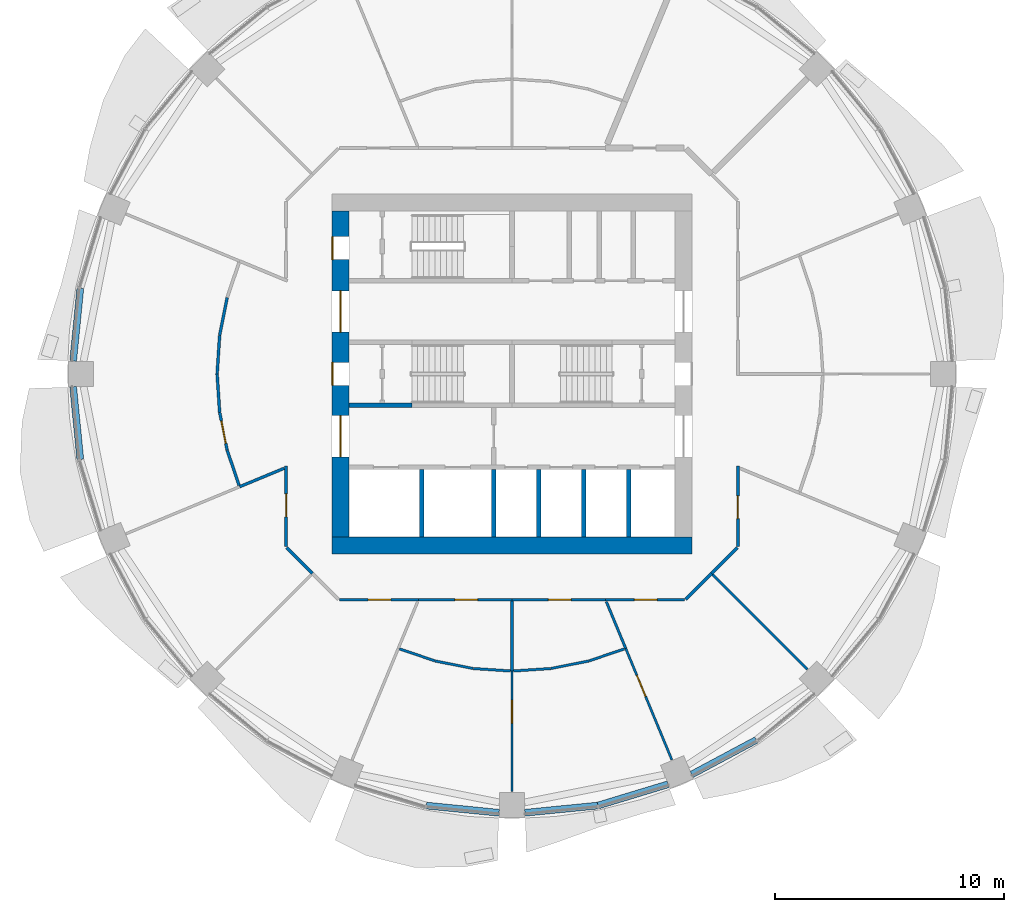
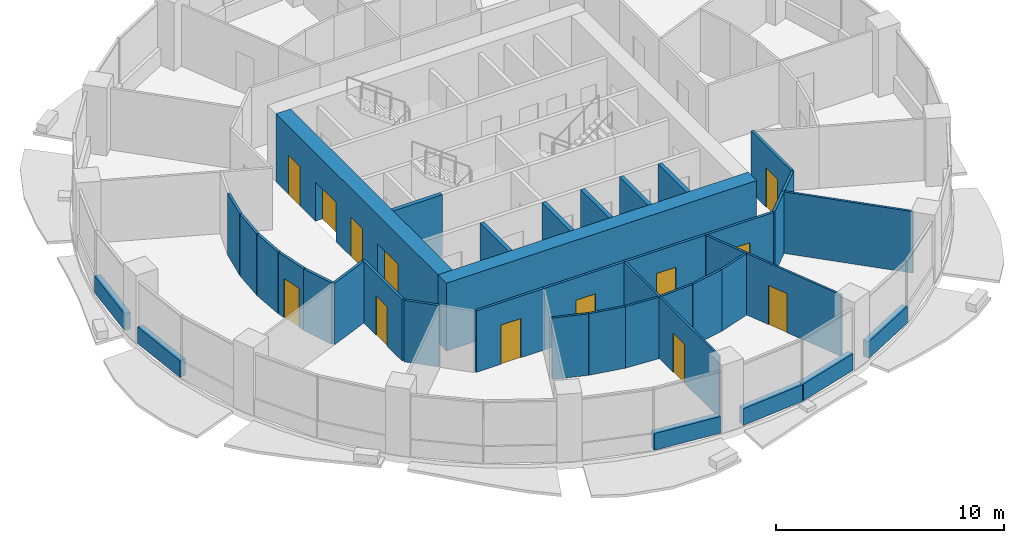
# One storey, part 8 of 15: 40 walls, 13 doors, 13 openings.
"""IFC4 building model written with IfcOpenShell, lengths in metres."""

from ifc_helpers import new_model, si_unit, direction, frame, frame_2d, origin, place, context, subcontext, project, spatial, rectangle, extrude, material, layer, layer_set, type_object, element, fill, save


model = new_model("IFC4")

# Units and contexts
model_context = context("Model", 3, precision=1e-05, world=origin(), true_north=direction((0.0, 1.0)))
body_context = subcontext(model_context, "Body", "Model", "MODEL_VIEW")
ifc_project = project(units=[si_unit("LENGTHUNIT", "METRE"), si_unit("AREAUNIT", "SQUARE_METRE"), si_unit("VOLUMEUNIT", "CUBIC_METRE"), si_unit("PLANEANGLEUNIT", "RADIAN"), si_unit("MASSUNIT", "GRAM", prefix="KILO")], contexts=[model_context])

# Site, building, storey
site_placement = place(None, origin())
site = spatial("IfcSite", under=ifc_project, at=site_placement, CompositionType="ELEMENT")
building_placement = place(site_placement, origin())
building = spatial("IfcBuilding", under=site, at=building_placement, Name="Polderwave Tower", CompositionType="ELEMENT")
storey_placement = place(building_placement, frame((0.0, 0.0, 72.75)))
storey = spatial("IfcBuildingStorey", under=building, at=storey_placement, Name="L18", CompositionType="ELEMENT", Elevation=72.75)

# Wall
ifc_material_1 = material(Name="Concrete C70/85", Category="concrete")
ifc_layer_1 = layer(ifc_material_1, 0.75)
ifc_layer_set_1 = layer_set([ifc_layer_1], Name="CORE WALL 750 C70/85")
wall_type_1 = type_object("IfcWallType", Name="CORE WALL 750 C70/85", PredefinedType="SHEAR", material=ifc_layer_set_1)
wall_1_placement = place(storey_placement, frame((-7.8740234375, -7.4990234375, 0.0), z_axis=(0.0, 0.0, 1.0), x_axis=(1.0, 0.0, 0.0)))
element("IfcWall", 1, at=wall_1_placement, inside=storey, type_object=wall_type_1, Name="ST-CORE-L18-S", PredefinedType="SHEAR", context=body_context, shape_type="SweptSolid", body=[
    extrude(rectangle(XDim=15.748046875, YDim=0.75, at=frame_2d((7.8740234375, 0.0))), origin(), (0.0, 0.0, 1.0), 3.64990234375),
])

# Wall, openings, doors
wall_2_placement = place(storey_placement, frame((-7.4990234375, -7.1240234375, 0.0), z_axis=(0.0, 0.0, 1.0), x_axis=(0.0, 1.0, 0.0)))
wall_2 = element("IfcWall", 2, at=wall_2_placement, inside=storey, type_object=wall_type_1, Name="ST-CORE-L18-W", PredefinedType="SHEAR", context=body_context, shape_type="SweptSolid", body=[
    extrude(rectangle(XDim=14.248046875, YDim=0.75, at=frame_2d((7.1240234375, 0.0))), origin(), (0.0, 0.0, 1.0), 3.64990234375),
])
opening_1_placement = place(wall_2_placement, frame((6.6240234375, 0.0, 0.0)))
opening_1 = element("IfcOpeningElement", 3, at=opening_1_placement, cuts=wall_2, Name="Opening L18-D18", PredefinedType="OPENING", context=body_context, shape_type="SweptSolid", body=[
    extrude(rectangle(XDim=1.0, YDim=2.10009765625, at=frame_2d((0.5, 1.050048828125))), frame((0.0, 0.385009765625, 0.0), z_axis=(0.0, -1.0, 0.0), x_axis=(1.0, 0.0, 0.0)), (0.0, 0.0, 1.0), 0.77001953125),
])
opening_2_placement = place(wall_2_placement, frame((3.49951171875, 0.0, 0.0)))
opening_2 = element("IfcOpeningElement", 4, at=opening_2_placement, cuts=wall_2, Name="Opening L18-D19", PredefinedType="OPENING", context=body_context, shape_type="SweptSolid", body=[
    extrude(rectangle(XDim=1.800048828125, YDim=2.10009765625, at=frame_2d((0.89990234375, 1.050048828125))), frame((0.0, 0.385009765625, 0.0), z_axis=(0.0, -1.0, 0.0), x_axis=(1.0, 0.0, 0.0)), (0.0, 0.0, 1.0), 0.77001953125),
])
opening_3_placement = place(wall_2_placement, frame((8.948486328125, 0.0, 0.0)))
opening_3 = element("IfcOpeningElement", 5, at=opening_3_placement, cuts=wall_2, Name="Opening L18-D20", PredefinedType="OPENING", context=body_context, shape_type="SweptSolid", body=[
    extrude(rectangle(XDim=1.800048828125, YDim=2.10009765625, at=frame_2d((0.89990234375, 1.050048828125))), frame((0.0, 0.385009765625, 0.0), z_axis=(0.0, -1.0, 0.0), x_axis=(1.0, 0.0, 0.0)), (0.0, 0.0, 1.0), 0.77001953125),
])
opening_4_placement = place(wall_2_placement, frame((12.1240234375, 0.0, 0.0)))
opening_4 = element("IfcOpeningElement", 6, at=opening_4_placement, cuts=wall_2, Name="Opening L18-D21", PredefinedType="OPENING", context=body_context, shape_type="SweptSolid", body=[
    extrude(rectangle(XDim=1.0, YDim=2.10009765625, at=frame_2d((0.5, 1.050048828125))), frame((0.0, 0.385009765625, 0.0), z_axis=(0.0, -1.0, 0.0), x_axis=(1.0, 0.0, 0.0)), (0.0, 0.0, 1.0), 0.77001953125),
])
ifc_material_2 = material(Name="Steel fire door", Category="steel")
door_type_1 = type_object("IfcDoorType", Name="Lobby entry door pair 1800", OperationType="DOUBLE_DOOR_SINGLE_SWING", PredefinedType="DOOR", material=ifc_material_2)
door_1_placement = place(opening_2_placement, origin())
door_1 = element("IfcDoor", 7, at=door_1_placement, inside=storey, type_object=door_type_1, Name="Fire-fighting lobby entry door", OperationType="DOUBLE_DOOR_SINGLE_SWING", OverallHeight=2.10009765625, OverallWidth=1.800048828125, PredefinedType="DOOR", context=body_context, shape_type="SweptSolid", body=[
    extrude(rectangle(XDim=1.800048828125, YDim=2.10009765625, at=frame_2d((0.89990234375, 1.050048828125))), frame((0.0, 0.02490234375, 0.0), z_axis=(0.0, -1.0, 0.0), x_axis=(1.0, 0.0, 0.0)), (0.0, 0.0, 1.0), 0.050048828125),
])
fill(opening_2, door_1)
door_2_placement = place(opening_3_placement, origin())
door_2 = element("IfcDoor", 8, at=door_2_placement, inside=storey, type_object=door_type_1, Name="North lobby entry door", OperationType="DOUBLE_DOOR_SINGLE_SWING", OverallHeight=2.10009765625, OverallWidth=1.800048828125, PredefinedType="DOOR", context=body_context, shape_type="SweptSolid", body=[
    extrude(rectangle(XDim=1.800048828125, YDim=2.10009765625, at=frame_2d((0.89990234375, 1.050048828125))), frame((0.0, 0.02490234375, 0.0), z_axis=(0.0, -1.0, 0.0), x_axis=(1.0, 0.0, 0.0)), (0.0, 0.0, 1.0), 0.050048828125),
])
fill(opening_3, door_2)
door_type_2 = type_object("IfcDoorType", Name="Stair door 1000", OperationType="NOTDEFINED", PredefinedType="DOOR", material=ifc_material_2)
door_3_placement = place(opening_1_placement, origin())
door_3 = element("IfcDoor", 9, at=door_3_placement, inside=storey, type_object=door_type_2, Name="Stair A entry door", OperationType="SINGLE_SWING_RIGHT", OverallHeight=2.10009765625, OverallWidth=1.0, PredefinedType="DOOR", context=body_context, shape_type="SweptSolid", body=[
    extrude(rectangle(XDim=1.0, YDim=2.10009765625, at=frame_2d((0.5, 1.050048828125))), frame((0.0, 0.375, 0.0), z_axis=(0.0, -1.0, 0.0), x_axis=(1.0, 0.0, 0.0)), (0.0, 0.0, 1.0), 0.050048828125),
])
fill(opening_1, door_3)
door_4_placement = place(opening_4_placement, origin())
door_4 = element("IfcDoor", 10, at=door_4_placement, inside=storey, type_object=door_type_2, Name="Stair C entry door", OperationType="SINGLE_SWING_RIGHT", OverallHeight=2.10009765625, OverallWidth=1.0, PredefinedType="DOOR", context=body_context, shape_type="SweptSolid", body=[
    extrude(rectangle(XDim=1.0, YDim=2.10009765625, at=frame_2d((0.5, 1.050048828125))), frame((0.0, 0.375, 0.0), z_axis=(0.0, -1.0, 0.0), x_axis=(1.0, 0.0, 0.0)), (0.0, 0.0, 1.0), 0.050048828125),
])
fill(opening_4, door_4)

# Walls
ifc_material_3 = material(Name="Concrete C50/60 (board-marked)", Category="concrete")
ifc_layer_2 = layer(ifc_material_3, 0.300048828125)
ifc_layer_set_2 = layer_set([ifc_layer_2], Name="Concrete spandrel upstand C50/60")
wall_type_2 = type_object("IfcWallType", Name="Concrete spandrel upstand C50/60", PredefinedType="SOLIDWALL", material=ifc_layer_set_2)
for number, where, z_axis, x_axis, name in (
    (11, (-18.87158203125, 3.738037109375, 0.0), (0.0, 0.0, 1.0), (-0.098131861065, -0.995173420989, 0.0), "Spandrel L18 8b"),
    (12, (-19.1845703125, -0.56396484375, 0.0), (0.0, 0.0, 1.0), (0.098131861065, -0.995173420989, 0.0), "Spandrel L18 9a"),
    (13, (-3.738037109375, -18.87158203125, 0.0), (0.0, 0.0, 1.0), (0.995173420989, -0.098131861065, 0.0), "Spandrel L18 12b"),
    (14, (0.56396484375, -19.1845703125, 0.0), (0.0, 0.0, 1.0), (0.995173420989, 0.098131861065, 0.0), "Spandrel L18 13a"),
):
    element("IfcWall", number, at=place(storey_placement, frame(where, z_axis=z_axis, x_axis=x_axis)), inside=storey, type_object=wall_type_2, Name=name, PredefinedType="SOLIDWALL", context=body_context, shape_type="SweptSolid", body=[
        extrude(rectangle(XDim=3.189453125, YDim=0.300048828125, at=frame_2d((1.5947265625, 0.0))), origin(), (0.0, 0.0, 1.0), 0.89990234375),
    ])
wall_3_placement = place(storey_placement, frame((3.767333984375, -18.865478515625, 0.0), z_axis=(0.0, 0.0, 1.0), x_axis=(0.956954228099, 0.290238876314, 0.0)))
element("IfcWall", 15, at=wall_3_placement, inside=storey, type_object=wall_type_2, Name="Spandrel L18 13b", PredefinedType="SOLIDWALL", context=body_context, shape_type="SweptSolid", body=[
    extrude(rectangle(XDim=3.190673828125, YDim=0.300048828125, at=frame_2d((1.59521484375, 0.0))), origin(), (0.0, 0.0, 1.0), 0.89990234375),
])
wall_4_placement = place(storey_placement, frame((7.8623046875, -17.5078125, 0.0), z_axis=(0.0, 0.0, 1.0), x_axis=(0.8819437364, 0.471354692163, 0.0)))
element("IfcWall", 16, at=wall_4_placement, inside=storey, type_object=wall_type_2, Name="Spandrel L18 14a", PredefinedType="SOLIDWALL", context=body_context, shape_type="SweptSolid", body=[
    extrude(rectangle(XDim=3.190185546875, YDim=0.300048828125, at=frame_2d((1.59521484375, 0.0))), origin(), (0.0, 0.0, 1.0), 0.89990234375),
])
ifc_material_4 = material(Name="Concrete C50/60", Category="concrete")
ifc_layer_3 = layer(ifc_material_4, 0.199951171875)
ifc_layer_set_3 = layer_set([ifc_layer_3], Name="Core web wall 200")
wall_type_3 = type_object("IfcWallType", Name="Core web wall 200", PredefinedType="SHEAR", material=ifc_layer_set_3)
wall_5_placement = place(storey_placement, frame((-7.1240234375, -1.375, 0.0), z_axis=(0.0, 0.0, 1.0), x_axis=(1.0, 0.0, 0.0)))
element("IfcWall", 17, at=wall_5_placement, inside=storey, type_object=wall_type_3, Name="L18 south stair wall 1", PredefinedType="SHEAR", context=body_context, shape_type="SweptSolid", body=[
    extrude(rectangle(XDim=2.75, YDim=0.199951171875, at=frame_2d((1.375, 0.0))), origin(), (0.0, 0.0, 1.0), 3.300048828125),
])
ifc_material_5 = material(Name="Fire-resisting board on steel studs", Category="steel")
ifc_layer_4 = layer(ifc_material_5, 0.125)
ifc_layer_set_4 = layer_set([ifc_layer_4], Name="Corridor wall 125 mm EI 60")
wall_type_4 = type_object("IfcWallType", Name="Corridor wall 125 mm EI 60", PredefinedType="PARTITIONING", material=ifc_layer_set_4)
wall_6_placement = place(storey_placement, frame((9.855712890625, -7.58935546875, 0.0), z_axis=(0.0, 0.0, 1.0), x_axis=(-0.70718294931, -0.707030604857, 0.0)))
element("IfcWall", 18, at=wall_6_placement, inside=storey, type_object=wall_type_4, Name="IN-L18-W004", PredefinedType="PARTITIONING", context=body_context, shape_type="SweptSolid", body=[
    extrude(rectangle(XDim=1.6025390625, YDim=0.125, at=frame_2d((0.80126953125, 0.0))), origin(), (0.0, 0.0, 1.0), 3.300048828125),
])

# Wall, opening, door
wall_7_placement = place(storey_placement, frame((9.8740234375, -4.02734375, 0.0), z_axis=(0.0, 0.0, 1.0), x_axis=(0.0, -1.0, 0.0)))
wall_7 = element("IfcWall", 19, at=wall_7_placement, inside=storey, type_object=wall_type_4, Name="IN-L18-W005", PredefinedType="PARTITIONING", context=body_context, shape_type="SweptSolid", body=[
    extrude(rectangle(XDim=3.517822265625, YDim=0.125, at=frame_2d((1.7587890625, 0.0))), origin(), (0.0, 0.0, 1.0), 3.300048828125),
])
opening_5_placement = place(wall_7_placement, frame((1.300048828125, 0.0, 0.0)))
opening_5 = element("IfcOpeningElement", 20, at=opening_5_placement, cuts=wall_7, Name="Opening L18-D52", PredefinedType="OPENING", context=body_context, shape_type="SweptSolid", body=[
    extrude(rectangle(XDim=1.0, YDim=2.10009765625, at=frame_2d((0.5, 1.050048828125))), frame((0.0, 0.072509765625, 0.0), z_axis=(0.0, -1.0, 0.0), x_axis=(1.0, 0.0, 0.0)), (0.0, 0.0, 1.0), 0.14501953125),
])
ifc_material_6 = material(Name="Timber fire door leaf", Category="wood")
door_type_3 = type_object("IfcDoorType", Name="Fire door FD30S 1000 x 2100", OperationType="NOTDEFINED", PredefinedType="DOOR", material=ifc_material_6)
door_5_placement = place(opening_5_placement, origin())
door_5 = element("IfcDoor", 21, at=door_5_placement, inside=storey, type_object=door_type_3, Name="Door L18-D52", OperationType="SINGLE_SWING_RIGHT", OverallHeight=2.10009765625, OverallWidth=1.0, PredefinedType="DOOR", context=body_context, shape_type="SweptSolid", body=[
    extrude(rectangle(XDim=1.0, YDim=2.10009765625, at=frame_2d((0.5, 1.050048828125))), frame((0.0, 0.02490234375, 0.0), z_axis=(0.0, -1.0, 0.0), x_axis=(1.0, 0.0, 0.0)), (0.0, 0.0, 1.0), 0.050048828125),
])
fill(opening_5, door_5)

wall_8_placement = place(storey_placement, frame((-9.8740234375, -7.545166015625, 0.0), z_axis=(0.0, 0.0, 1.0), x_axis=(0.0, 1.0, 0.0)))
wall_8 = element("IfcWall", 22, at=wall_8_placement, inside=storey, type_object=wall_type_4, Name="IN-L18-W014", PredefinedType="PARTITIONING", context=body_context, shape_type="SweptSolid", body=[
    extrude(rectangle(XDim=3.517822265625, YDim=0.125, at=frame_2d((1.7587890625, 0.0))), origin(), (0.0, 0.0, 1.0), 3.300048828125),
])
opening_6_placement = place(wall_8_placement, frame((1.300048828125, 0.0, 0.0)))
opening_6 = element("IfcOpeningElement", 23, at=opening_6_placement, cuts=wall_8, Name="Opening L18-D58", PredefinedType="OPENING", context=body_context, shape_type="SweptSolid", body=[
    extrude(rectangle(XDim=1.0, YDim=2.10009765625, at=frame_2d((0.5, 1.050048828125))), frame((0.0, 0.072509765625, 0.0), z_axis=(0.0, -1.0, 0.0), x_axis=(1.0, 0.0, 0.0)), (0.0, 0.0, 1.0), 0.14501953125),
])
door_6_placement = place(opening_6_placement, origin())
door_6 = element("IfcDoor", 24, at=door_6_placement, inside=storey, type_object=door_type_3, Name="Door L18-D58", OperationType="SINGLE_SWING_RIGHT", OverallHeight=2.10009765625, OverallWidth=1.0, PredefinedType="DOOR", context=body_context, shape_type="SweptSolid", body=[
    extrude(rectangle(XDim=1.0, YDim=2.10009765625, at=frame_2d((0.5, 1.050048828125))), frame((0.0, 0.02490234375, 0.0), z_axis=(0.0, -1.0, 0.0), x_axis=(1.0, 0.0, 0.0)), (0.0, 0.0, 1.0), 0.050048828125),
])
fill(opening_6, door_6)

# Wall
wall_9_placement = place(storey_placement, frame((-8.722412109375, -8.722412109375, 0.0), z_axis=(0.0, 0.0, 1.0), x_axis=(-0.70718294931, 0.707030604857, 0.0)))
element("IfcWall", 25, at=wall_9_placement, inside=storey, type_object=wall_type_4, Name="IN-L18-W015", PredefinedType="PARTITIONING", context=body_context, shape_type="SweptSolid", body=[
    extrude(rectangle(XDim=1.6025390625, YDim=0.125, at=frame_2d((0.80126953125, 0.0))), origin(), (0.0, 0.0, 1.0), 3.300048828125),
])

# Wall, opening, door
wall_10_placement = place(storey_placement, frame((-4.08984375, -9.8740234375, 0.0), z_axis=(0.0, 0.0, 1.0), x_axis=(-1.0, 0.0, 0.0)))
wall_10 = element("IfcWall", 26, at=wall_10_placement, inside=storey, type_object=wall_type_4, Name="IN-L18-W017", PredefinedType="PARTITIONING", context=body_context, shape_type="SweptSolid", body=[
    extrude(rectangle(XDim=3.455322265625, YDim=0.125, at=frame_2d((1.7275390625, 0.0))), origin(), (0.0, 0.0, 1.0), 3.300048828125),
])
opening_7_placement = place(wall_10_placement, frame((1.199951171875, 0.0, 0.0)))
opening_7 = element("IfcOpeningElement", 27, at=opening_7_placement, cuts=wall_10, Name="Opening L18-D59", PredefinedType="OPENING", context=body_context, shape_type="SweptSolid", body=[
    extrude(rectangle(XDim=1.0, YDim=2.10009765625, at=frame_2d((0.5, 1.050048828125))), frame((0.0, 0.072509765625, 0.0), z_axis=(0.0, -1.0, 0.0), x_axis=(1.0, 0.0, 0.0)), (0.0, 0.0, 1.0), 0.14501953125),
])
door_7_placement = place(opening_7_placement, origin())
door_7 = element("IfcDoor", 28, at=door_7_placement, inside=storey, type_object=door_type_3, Name="Door L18-D59", OperationType="SINGLE_SWING_LEFT", OverallHeight=2.10009765625, OverallWidth=1.0, PredefinedType="DOOR", context=body_context, shape_type="SweptSolid", body=[
    extrude(rectangle(XDim=1.0, YDim=2.10009765625, at=frame_2d((0.5, 1.050048828125))), frame((0.0, 0.02490234375, 0.0), z_axis=(0.0, -1.0, 0.0), x_axis=(1.0, 0.0, 0.0)), (0.0, 0.0, 1.0), 0.050048828125),
])
fill(opening_7, door_7)

wall_11_placement = place(storey_placement, frame((0.0, -9.8740234375, 0.0), z_axis=(0.0, 0.0, 1.0), x_axis=(-1.0, 0.0, 0.0)))
wall_11 = element("IfcWall", 29, at=wall_11_placement, inside=storey, type_object=wall_type_4, Name="IN-L18-W018", PredefinedType="PARTITIONING", context=body_context, shape_type="SweptSolid", body=[
    extrude(rectangle(XDim=4.08984375, YDim=0.125, at=frame_2d((2.044921875, 0.0))), origin(), (0.0, 0.0, 1.0), 3.300048828125),
])
opening_8_placement = place(wall_11_placement, frame((1.5, 0.0, 0.0)))
opening_8 = element("IfcOpeningElement", 30, at=opening_8_placement, cuts=wall_11, Name="Opening L18-D60", PredefinedType="OPENING", context=body_context, shape_type="SweptSolid", body=[
    extrude(rectangle(XDim=1.0, YDim=2.10009765625, at=frame_2d((0.5, 1.050048828125))), frame((0.0, 0.072509765625, 0.0), z_axis=(0.0, -1.0, 0.0), x_axis=(1.0, 0.0, 0.0)), (0.0, 0.0, 1.0), 0.14501953125),
])
door_8_placement = place(opening_8_placement, origin())
door_8 = element("IfcDoor", 31, at=door_8_placement, inside=storey, type_object=door_type_3, Name="Door L18-D60", OperationType="SINGLE_SWING_LEFT", OverallHeight=2.10009765625, OverallWidth=1.0, PredefinedType="DOOR", context=body_context, shape_type="SweptSolid", body=[
    extrude(rectangle(XDim=1.0, YDim=2.10009765625, at=frame_2d((0.5, 1.050048828125))), frame((0.0, 0.02490234375, 0.0), z_axis=(0.0, -1.0, 0.0), x_axis=(1.0, 0.0, 0.0)), (0.0, 0.0, 1.0), 0.050048828125),
])
fill(opening_8, door_8)

wall_12_placement = place(storey_placement, frame((4.08984375, -9.8740234375, 0.0), z_axis=(0.0, 0.0, 1.0), x_axis=(-1.0, 0.0, 0.0)))
wall_12 = element("IfcWall", 32, at=wall_12_placement, inside=storey, type_object=wall_type_4, Name="IN-L18-W019", PredefinedType="PARTITIONING", context=body_context, shape_type="SweptSolid", body=[
    extrude(rectangle(XDim=4.08984375, YDim=0.125, at=frame_2d((2.044921875, 0.0))), origin(), (0.0, 0.0, 1.0), 3.300048828125),
])
opening_9_placement = place(wall_12_placement, frame((1.5, 0.0, 0.0)))
opening_9 = element("IfcOpeningElement", 33, at=opening_9_placement, cuts=wall_12, Name="Opening L18-D61", PredefinedType="OPENING", context=body_context, shape_type="SweptSolid", body=[
    extrude(rectangle(XDim=1.0, YDim=2.10009765625, at=frame_2d((0.5, 1.050048828125))), frame((0.0, 0.072509765625, 0.0), z_axis=(0.0, -1.0, 0.0), x_axis=(1.0, 0.0, 0.0)), (0.0, 0.0, 1.0), 0.14501953125),
])
door_9_placement = place(opening_9_placement, origin())
door_9 = element("IfcDoor", 34, at=door_9_placement, inside=storey, type_object=door_type_3, Name="Door L18-D61", OperationType="SINGLE_SWING_LEFT", OverallHeight=2.10009765625, OverallWidth=1.0, PredefinedType="DOOR", context=body_context, shape_type="SweptSolid", body=[
    extrude(rectangle(XDim=1.0, YDim=2.10009765625, at=frame_2d((0.5, 1.050048828125))), frame((0.0, 0.02490234375, 0.0), z_axis=(0.0, -1.0, 0.0), x_axis=(1.0, 0.0, 0.0)), (0.0, 0.0, 1.0), 0.050048828125),
])
fill(opening_9, door_9)

wall_13_placement = place(storey_placement, frame((7.545166015625, -9.8740234375, 0.0), z_axis=(0.0, 0.0, 1.0), x_axis=(-1.0, 0.0, 0.0)))
wall_13 = element("IfcWall", 35, at=wall_13_placement, inside=storey, type_object=wall_type_4, Name="IN-L18-W020", PredefinedType="PARTITIONING", context=body_context, shape_type="SweptSolid", body=[
    extrude(rectangle(XDim=3.455322265625, YDim=0.125, at=frame_2d((1.7275390625, 0.0))), origin(), (0.0, 0.0, 1.0), 3.300048828125),
])
opening_10_placement = place(wall_13_placement, frame((1.199951171875, 0.0, 0.0)))
opening_10 = element("IfcOpeningElement", 36, at=opening_10_placement, cuts=wall_13, Name="Opening L18-D62", PredefinedType="OPENING", context=body_context, shape_type="SweptSolid", body=[
    extrude(rectangle(XDim=1.0, YDim=2.10009765625, at=frame_2d((0.5, 1.050048828125))), frame((0.0, 0.072509765625, 0.0), z_axis=(0.0, -1.0, 0.0), x_axis=(1.0, 0.0, 0.0)), (0.0, 0.0, 1.0), 0.14501953125),
])
door_10_placement = place(opening_10_placement, origin())
door_10 = element("IfcDoor", 37, at=door_10_placement, inside=storey, type_object=door_type_3, Name="Door L18-D62", OperationType="SINGLE_SWING_LEFT", OverallHeight=2.10009765625, OverallWidth=1.0, PredefinedType="DOOR", context=body_context, shape_type="SweptSolid", body=[
    extrude(rectangle(XDim=1.0, YDim=2.10009765625, at=frame_2d((0.5, 1.050048828125))), frame((0.0, 0.02490234375, 0.0), z_axis=(0.0, -1.0, 0.0), x_axis=(1.0, 0.0, 0.0)), (0.0, 0.0, 1.0), 0.050048828125),
])
fill(opening_10, door_10)

# Walls
wall_14_placement = place(storey_placement, frame((8.722412109375, -8.722412109375, 0.0), z_axis=(0.0, 0.0, 1.0), x_axis=(-0.707030604857, -0.70718294931, 0.0)))
element("IfcWall", 38, at=wall_14_placement, inside=storey, type_object=wall_type_4, Name="IN-L18-W021", PredefinedType="PARTITIONING", context=body_context, shape_type="SweptSolid", body=[
    extrude(rectangle(XDim=1.6025390625, YDim=0.125, at=frame_2d((0.80126953125, 0.0))), origin(), (0.0, 0.0, 1.0), 3.300048828125),
])
for number, where, z_axis, x_axis, name in (
    (39, (-12.8896484375, 0.004150390625, 0.0), (0.0, 0.0, 1.0), (0.065331113258, 0.997863640805, 0.0), "IN-L18-W045"),
    (40, (-12.780029296875, -1.678466796875, 0.0), (0.0, 0.0, 1.0), (-0.065331113258, 0.997863640805, 0.0), "IN-L18-W046"),
    (41, (-12.77880859375, 1.6865234375, 0.0), (0.0, 0.0, 1.0), (0.194968796467, 0.980809445511, 0.0), "IN-L18-W047"),
):
    element("IfcWall", number, at=place(storey_placement, frame(where, z_axis=z_axis, x_axis=x_axis)), inside=storey, type_object=wall_type_4, Name=name, PredefinedType="PARTITIONING", context=body_context, shape_type="SweptSolid", body=[
        extrude(rectangle(XDim=1.677978515625, YDim=0.125, at=frame_2d((0.8388671875, 0.0))), origin(), (0.0, 0.0, 1.0), 3.300048828125),
    ])

# Wall, opening, door
wall_15_placement = place(storey_placement, frame((-12.45166015625, -3.332275390625, 0.0), z_axis=(0.0, 0.0, 1.0), x_axis=(-0.194968796467, 0.980809445511, 0.0)))
wall_15 = element("IfcWall", 42, at=wall_15_placement, inside=storey, type_object=wall_type_4, Name="IN-L18-W048", PredefinedType="PARTITIONING", context=body_context, shape_type="SweptSolid", body=[
    extrude(rectangle(XDim=1.677978515625, YDim=0.125, at=frame_2d((0.8388671875, 0.0))), origin(), (0.0, 0.0, 1.0), 3.300048828125),
])
opening_11_placement = place(wall_15_placement, frame((0.300048828125, 0.0, 0.0)))
opening_11 = element("IfcOpeningElement", 43, at=opening_11_placement, cuts=wall_15, Name="Opening L18-D66", PredefinedType="OPENING", context=body_context, shape_type="SweptSolid", body=[
    extrude(rectangle(XDim=1.0, YDim=2.10009765625, at=frame_2d((0.5, 1.050048828125))), frame((0.0, 0.072509765625, 0.0), z_axis=(0.0, -1.0, 0.0), x_axis=(1.0, 0.0, 0.0)), (0.0, 0.0, 1.0), 0.14501953125),
])
door_11_placement = place(opening_11_placement, origin())
door_11 = element("IfcDoor", 44, at=door_11_placement, inside=storey, type_object=door_type_3, Name="Door L18-D66", OperationType="SINGLE_SWING_LEFT", OverallHeight=2.10009765625, OverallWidth=1.0, PredefinedType="DOOR", context=body_context, shape_type="SweptSolid", body=[
    extrude(rectangle(XDim=1.0, YDim=2.10009765625, at=frame_2d((0.5, 1.050048828125))), frame((0.0, 0.02490234375, 0.0), z_axis=(0.0, -1.0, 0.0), x_axis=(1.0, 0.0, 0.0)), (0.0, 0.0, 1.0), 0.050048828125),
])
fill(opening_11, door_11)

# Walls
wall_16_placement = place(storey_placement, frame((-11.930419921875, -4.86962890625, 0.0), z_axis=(0.0, 0.0, 1.0), x_axis=(-0.321347174615, 0.946961452947, 0.0)))
element("IfcWall", 45, at=wall_16_placement, inside=storey, type_object=wall_type_4, Name="IN-L18-W050", PredefinedType="PARTITIONING", context=body_context, shape_type="SweptSolid", body=[
    extrude(rectangle(XDim=1.615234375, YDim=0.125, at=frame_2d((0.8076171875, 0.0))), origin(), (0.0, 0.0, 1.0), 3.300048828125),
])
wall_17_placement = place(storey_placement, frame((-9.96044921875, -4.125732421875, 0.0), z_axis=(0.0, 0.0, 1.0), x_axis=(-0.923855963606, -0.38274032778, 0.0)))
element("IfcWall", 46, at=wall_17_placement, inside=storey, type_object=wall_type_4, Name="IN-L18-W051", PredefinedType="PARTITIONING", context=body_context, shape_type="SweptSolid", body=[
    extrude(rectangle(XDim=2.10888671875, YDim=0.125, at=frame_2d((1.054443359375, 0.0))), origin(), (0.0, 0.0, 1.0), 3.300048828125),
])

# Wall, opening, door
ifc_material_7 = material(Name="Plasterboard on steel studs", Category="steel")
ifc_layer_5 = layer(ifc_material_7, 0.10009765625)
ifc_layer_set_5 = layer_set([ifc_layer_5], Name="Partition 100 mm plasterboard on steel studs")
wall_type_5 = type_object("IfcWallType", Name="Partition 100 mm plasterboard on steel studs", PredefinedType="PARTITIONING", material=ifc_layer_set_5)
wall_18_placement = place(storey_placement, frame((0.0, -18.260009765625, 0.0), z_axis=(0.0, 0.0, 1.0), x_axis=(0.0, 1.0, 0.0)))
wall_18 = element("IfcWall", 47, at=wall_18_placement, inside=storey, type_object=wall_type_5, Name="IN-L18-W060", PredefinedType="PARTITIONING", context=body_context, shape_type="SweptSolid", body=[
    extrude(rectangle(XDim=5.27001953125, YDim=0.10009765625, at=frame_2d((2.635009765625, 0.0))), origin(), (0.0, 0.0, 1.0), 3.300048828125),
])
opening_12_placement = place(wall_18_placement, frame((3.0, 0.0, 0.0)))
opening_12 = element("IfcOpeningElement", 48, at=opening_12_placement, cuts=wall_18, Name="Opening L18-D67", PredefinedType="OPENING", context=body_context, shape_type="SweptSolid", body=[
    extrude(rectangle(XDim=1.0, YDim=2.10009765625, at=frame_2d((0.5, 1.050048828125))), frame((0.0, 0.06005859375, 0.0), z_axis=(0.0, -1.0, 0.0), x_axis=(1.0, 0.0, 0.0)), (0.0, 0.0, 1.0), 0.1201171875),
])
ifc_material_8 = material(Name="Timber veneer door leaf", Category="wood")
door_type_4 = type_object("IfcDoorType", Name="Single door 1000 x 2100", OperationType="NOTDEFINED", PredefinedType="DOOR", material=ifc_material_8)
door_12_placement = place(opening_12_placement, origin())
door_12 = element("IfcDoor", 49, at=door_12_placement, inside=storey, type_object=door_type_4, Name="Door L18-D67", OperationType="SINGLE_SWING_RIGHT", OverallHeight=2.10009765625, OverallWidth=1.0, PredefinedType="DOOR", context=body_context, shape_type="SweptSolid", body=[
    extrude(rectangle(XDim=1.0, YDim=2.10009765625, at=frame_2d((0.5, 1.050048828125))), frame((0.0, 0.02490234375, 0.0), z_axis=(0.0, -1.0, 0.0), x_axis=(1.0, 0.0, 0.0)), (0.0, 0.0, 1.0), 0.050048828125),
])
fill(opening_12, door_12)

wall_19_placement = place(storey_placement, frame((6.98779296875, -16.8701171875, 0.0), z_axis=(0.0, 0.0, 1.0), x_axis=(-0.382657291887, 0.923890359819, 0.0)))
wall_19 = element("IfcWall", 50, at=wall_19_placement, inside=storey, type_object=wall_type_5, Name="IN-L18-W065", PredefinedType="PARTITIONING", context=body_context, shape_type="SweptSolid", body=[
    extrude(rectangle(XDim=5.27001953125, YDim=0.10009765625, at=frame_2d((2.635009765625, 0.0))), origin(), (0.0, 0.0, 1.0), 3.300048828125),
])
opening_13_placement = place(wall_19_placement, frame((3.0, 0.0, 0.0)))
opening_13 = element("IfcOpeningElement", 51, at=opening_13_placement, cuts=wall_19, Name="Opening L18-D68", PredefinedType="OPENING", context=body_context, shape_type="SweptSolid", body=[
    extrude(rectangle(XDim=1.0, YDim=2.10009765625, at=frame_2d((0.5, 1.050048828125))), frame((0.0, 0.06005859375, 0.0), z_axis=(0.0, -1.0, 0.0), x_axis=(1.0, 0.0, 0.0)), (0.0, 0.0, 1.0), 0.1201171875),
])
door_13_placement = place(opening_13_placement, origin())
door_13 = element("IfcDoor", 52, at=door_13_placement, inside=storey, type_object=door_type_4, Name="Door L18-D68", OperationType="SINGLE_SWING_RIGHT", OverallHeight=2.10009765625, OverallWidth=1.0, PredefinedType="DOOR", context=body_context, shape_type="SweptSolid", body=[
    extrude(rectangle(XDim=1.0, YDim=2.10009765625, at=frame_2d((0.5, 1.050048828125))), frame((0.0, 0.02490234375, 0.0), z_axis=(0.0, -1.0, 0.0), x_axis=(1.0, 0.0, 0.0)), (0.0, 0.0, 1.0), 0.050048828125),
])
fill(opening_13, door_13)

# Walls
ifc_material_9 = material(Name="Acoustic double plasterboard on steel studs", Category="steel")
ifc_layer_6 = layer(ifc_material_9, 0.110107421875)
ifc_layer_set_6 = layer_set([ifc_layer_6], Name="Partition 110 mm acoustic double board")
wall_type_6 = type_object("IfcWallType", Name="Partition 110 mm acoustic double board", PredefinedType="PARTITIONING", material=ifc_layer_set_6)
wall_20_placement = place(storey_placement, frame((-3.365478515625, -12.546142578125, 0.0), z_axis=(0.0, 0.0, 1.0), x_axis=(-0.946941470356, 0.321406054267, 0.0)))
element("IfcWall", 53, at=wall_20_placement, inside=storey, type_object=wall_type_6, Name="IN-L18-W056", PredefinedType="PARTITIONING", context=body_context, shape_type="SweptSolid", body=[
    extrude(rectangle(XDim=1.63916015625, YDim=0.110107421875, at=frame_2d((0.819580078125, 0.0))), origin(), (0.0, 0.0, 1.0), 3.300048828125),
])
wall_21_placement = place(storey_placement, frame((-1.698974609375, -12.878173828125, 0.0), z_axis=(0.0, 0.0, 1.0), x_axis=(-0.98079097439, 0.19506169423, 0.0)))
element("IfcWall", 54, at=wall_21_placement, inside=storey, type_object=wall_type_6, Name="IN-L18-W057", PredefinedType="PARTITIONING", context=body_context, shape_type="SweptSolid", body=[
    extrude(rectangle(XDim=1.692138671875, YDim=0.110107421875, at=frame_2d((0.84619140625, 0.0))), origin(), (0.0, 0.0, 1.0), 3.300048828125),
])
wall_22_placement = place(storey_placement, frame((-0.05859375, -12.986083984375, 0.0), z_axis=(0.0, 0.0, 1.0), x_axis=(-0.997863649312, 0.065330983318, 0.0)))
element("IfcWall", 55, at=wall_22_placement, inside=storey, type_object=wall_type_6, Name="IN-L18-W058", PredefinedType="PARTITIONING", context=body_context, shape_type="SweptSolid", body=[
    extrude(rectangle(XDim=1.63671875, YDim=0.110107421875, at=frame_2d((0.818359375, 0.0))), origin(), (0.0, 0.0, 1.0), 3.300048828125),
])
wall_23_placement = place(storey_placement, frame((0.0, -9.9365234375, 0.0), z_axis=(0.0, 0.0, 1.0), x_axis=(0.0, -1.0, 0.0)))
element("IfcWall", 56, at=wall_23_placement, inside=storey, type_object=wall_type_6, Name="IN-L18-W059", PredefinedType="PARTITIONING", context=body_context, shape_type="SweptSolid", body=[
    extrude(rectangle(XDim=3.053466796875, YDim=0.110107421875, at=frame_2d((1.52685546875, 0.0))), origin(), (0.0, 0.0, 1.0), 3.300048828125),
])
wall_24_placement = place(storey_placement, frame((1.69189453125, -12.879150390625, 0.0), z_axis=(0.0, 0.0, 1.0), x_axis=(-0.997863649312, -0.065330983318, 0.0)))
element("IfcWall", 57, at=wall_24_placement, inside=storey, type_object=wall_type_6, Name="IN-L18-W061", PredefinedType="PARTITIONING", context=body_context, shape_type="SweptSolid", body=[
    extrude(rectangle(XDim=1.63671875, YDim=0.110107421875, at=frame_2d((0.818359375, 0.0))), origin(), (0.0, 0.0, 1.0), 3.300048828125),
])
wall_25_placement = place(storey_placement, frame((3.358642578125, -12.548095703125, 0.0), z_axis=(0.0, 0.0, 1.0), x_axis=(-0.98079097439, -0.19506169423, 0.0)))
element("IfcWall", 58, at=wall_25_placement, inside=storey, type_object=wall_type_6, Name="IN-L18-W062", PredefinedType="PARTITIONING", context=body_context, shape_type="SweptSolid", body=[
    extrude(rectangle(XDim=1.692138671875, YDim=0.110107421875, at=frame_2d((0.84619140625, 0.0))), origin(), (0.0, 0.0, 1.0), 3.300048828125),
])
wall_26_placement = place(storey_placement, frame((4.915283203125, -12.02001953125, 0.0), z_axis=(0.0, 0.0, 1.0), x_axis=(-0.946923574546, -0.321458774913, 0.0)))
element("IfcWall", 59, at=wall_26_placement, inside=storey, type_object=wall_type_6, Name="IN-L18-W063", PredefinedType="PARTITIONING", context=body_context, shape_type="SweptSolid", body=[
    extrude(rectangle(XDim=1.63671875, YDim=0.110107421875, at=frame_2d((0.818359375, 0.0))), origin(), (0.0, 0.0, 1.0), 3.300048828125),
])
wall_27_placement = place(storey_placement, frame((4.12451171875, -9.95751953125, 0.0), z_axis=(0.0, 0.0, 1.0), x_axis=(0.382647470997, -0.923894427378, 0.0)))
element("IfcWall", 60, at=wall_27_placement, inside=storey, type_object=wall_type_6, Name="IN-L18-W064", PredefinedType="PARTITIONING", context=body_context, shape_type="SweptSolid", body=[
    extrude(rectangle(XDim=2.212158203125, YDim=0.110107421875, at=frame_2d((1.10595703125, 0.0))), origin(), (0.0, 0.0, 1.0), 3.300048828125),
])
wall_28_placement = place(storey_placement, frame((8.7666015625, -8.7666015625, 0.0), z_axis=(0.0, 0.0, 1.0), x_axis=(0.707106781187, -0.707106781187, 0.0)))
element("IfcWall", 61, at=wall_28_placement, inside=storey, type_object=wall_type_6, Name="IN-L18-W066", PredefinedType="PARTITIONING", context=body_context, shape_type="SweptSolid", body=[
    extrude(rectangle(XDim=5.8623046875, YDim=0.110107421875, at=frame_2d((2.93115234375, 0.0))), origin(), (0.0, 0.0, 1.0), 3.300048828125),
])
ifc_material_10 = material(Name="Gypsum shaft wall system")
ifc_layer_7 = layer(ifc_material_10, 0.199951171875)
ifc_layer_set_7 = layer_set([ifc_layer_7], Name="Shaft wall 200")
wall_type_7 = type_object("IfcWallType", Name="Shaft wall 200", PredefinedType="PARTITIONING", material=ifc_layer_set_7)
for number, where, z_axis, x_axis, name in (
    (62, (-3.93701171875, -7.1240234375, 0.0), (0.0, 0.0, 1.0), (0.0, 1.0, 0.0), "L18 fire-fighting shaft wall 1"),
    (63, (-0.800048828125, -7.1240234375, 0.0), (0.0, 0.0, 1.0), (0.0, 1.0, 0.0), "L18 fire-fighting shaft wall 2"),
    (64, (1.16845703125, -7.1240234375, 0.0), (0.0, 0.0, 1.0), (0.0, 1.0, 0.0), "L18 lift shaft wall 1"),
    (65, (3.136962890625, -7.1240234375, 0.0), (0.0, 0.0, 1.0), (0.0, 1.0, 0.0), "L18 lift shaft wall 2"),
    (66, (5.10546875, -7.1240234375, 0.0), (0.0, 0.0, 1.0), (0.0, 1.0, 0.0), "L18 lift shaft wall 3"),
):
    element("IfcWall", number, at=place(storey_placement, frame(where, z_axis=z_axis, x_axis=x_axis)), inside=storey, type_object=wall_type_7, Name=name, PredefinedType="PARTITIONING", context=body_context, shape_type="SweptSolid", body=[
        extrude(rectangle(XDim=2.949951171875, YDim=0.199951171875, at=frame_2d((1.47509765625, 0.0))), origin(), (0.0, 0.0, 1.0), 3.300048828125),
    ])

save(model, "model.ifc")
